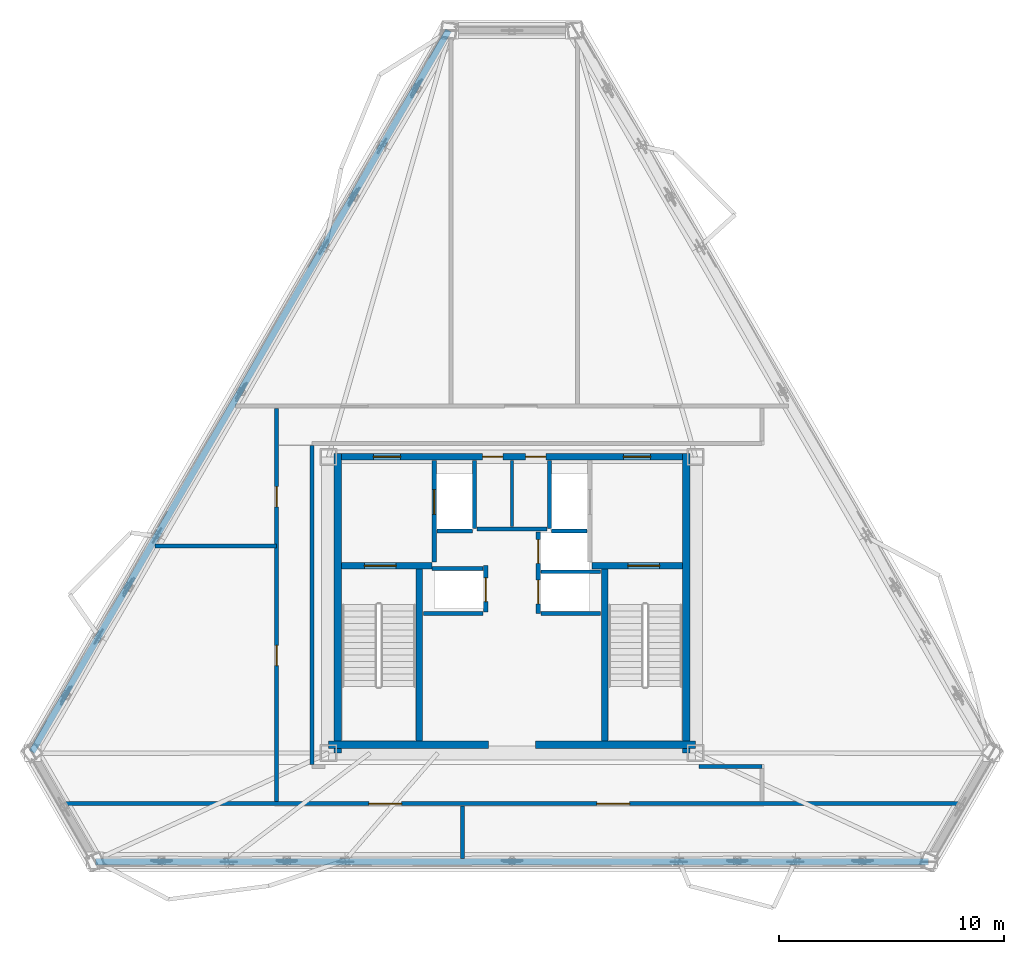
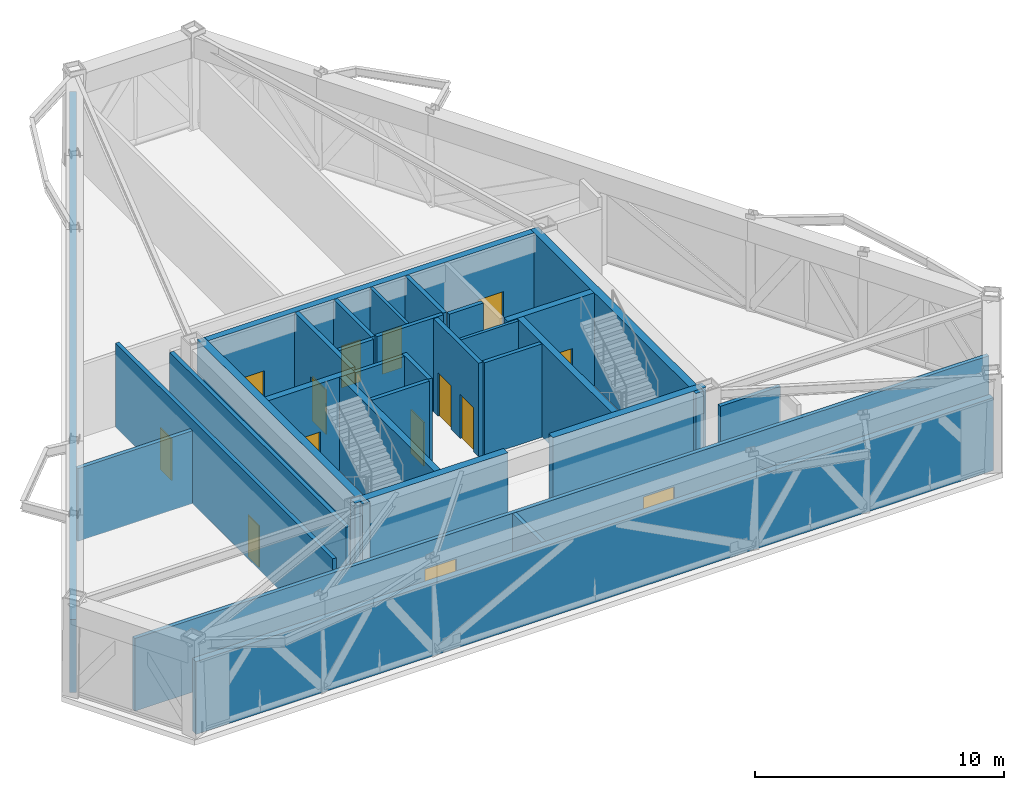
# One storey, part 6 of 10: 30 walls, 14 doors, 14 openings.
"""IFC4 building model written with IfcOpenShell, lengths in metres."""

from ifc_helpers import new_model, si_unit, direction, frame, frame_2d, origin, place, context, subcontext, project, spatial, rectangle, extrude, material, layer, layer_set, type_object, element, fill, save


model = new_model("IFC4")

# Units and contexts
model_context = context("Model", 3, precision=1e-05, world=origin(), true_north=direction((0.0, 1.0)))
body_context = subcontext(model_context, "Body", "Model", "MODEL_VIEW")
ifc_project = project(units=[si_unit("LENGTHUNIT", "METRE"), si_unit("AREAUNIT", "SQUARE_METRE"), si_unit("VOLUMEUNIT", "CUBIC_METRE"), si_unit("PLANEANGLEUNIT", "RADIAN"), si_unit("MASSUNIT", "GRAM", prefix="KILO")], contexts=[model_context])

# Site, building, storey
site_placement = place(None, origin())
site = spatial("IfcSite", under=ifc_project, at=site_placement, CompositionType="ELEMENT")
building_placement = place(site_placement, origin())
building = spatial("IfcBuilding", under=site, at=building_placement, Name="Oramaril Tower", CompositionType="ELEMENT")
storey_placement = place(building_placement, frame((0.0, 0.0, 245.10009765625)))
storey = spatial("IfcBuildingStorey", under=building, at=storey_placement, Name="L65", CompositionType="ELEMENT", Elevation=245.10009765625)

# Walls
ifc_material_1 = material(Name="Warm Cream Limestone", Category="masonry")
ifc_layer_1 = layer(ifc_material_1, 0.2900390625)
ifc_layer_set_1 = layer_set([ifc_layer_1], Name="WT-EXT29")
wall_type_1 = type_object("IfcWallType", Name="WT-EXT29", PredefinedType="SOLIDWALL", material=ifc_layer_set_1)
for number, where, z_axis, x_axis, name in (
    (1, (18.998779296875, 6.168212890625, 0.0), (0.0, 0.0, 1.0), (1.0, 0.0, 0.0), "L65 Tower Limestone Facade Wall 2M"),
    (2, (34.685302734375, 43.08837890625, 0.0), (0.0, 0.0, 1.0), (-0.500001549208, -0.866024509347, 0.0), "L65 Tower Limestone Facade Wall 6M"),
):
    element("IfcWall", number, at=place(storey_placement, frame(where, z_axis=z_axis, x_axis=x_axis)), inside=storey, type_object=wall_type_1, Name=name, PredefinedType="SOLIDWALL", context=body_context, shape_type="SweptSolid", body=[
        extrude(rectangle(XDim=37.00244140625, YDim=0.2900390625, at=frame_2d((18.501220703125, 0.0))), origin(), (0.0, 0.0, 1.0), 3.56982421875),
    ])
ifc_material_2 = material(Name="Acoustic Gypsum Board Partition")
ifc_layer_2 = layer(ifc_material_2, 0.139892578125)
ifc_layer_set_2 = layer_set([ifc_layer_2], Name="WT-PT14")
wall_type_2 = type_object("IfcWallType", Name="WT-PT14", PredefinedType="PARTITIONING", material=ifc_layer_set_2)
wall_1_placement = place(storey_placement, frame((38.780029296875, 19.050048828125, 0.0), z_axis=(0.0, 0.0, 1.0), x_axis=(1.0, 0.0, 0.0)))
element("IfcWall", 3, at=wall_1_placement, inside=storey, type_object=wall_type_2, Name="L65 High-Rise Lift H2-H3 Divider", PredefinedType="PARTITIONING", context=body_context, shape_type="SweptSolid", body=[
    extrude(rectangle(XDim=2.659912109375, YDim=0.139892578125, at=frame_2d((1.330078125, 0.0))), origin(), (0.0, 0.0, 1.0), 4.579833984375),
])
wall_2_placement = place(storey_placement, frame((37.5, 21.06005859375, 0.0), z_axis=(0.0, 0.0, 1.0), x_axis=(0.0, 1.0, 0.0)))
element("IfcWall", 4, at=wall_2_placement, inside=storey, type_object=wall_type_2, Name="L65 Core Service Divider", PredefinedType="PARTITIONING", context=body_context, shape_type="SweptSolid", body=[
    extrude(rectangle(XDim=2.919921875, YDim=0.139892578125, at=frame_2d((1.4599609375, 0.0))), origin(), (0.0, 0.0, 1.0), 4.579833984375),
])
ifc_material_3 = material(Name="Autoclaved Cellular Concrete Block", Category="concrete")
ifc_layer_3 = layer(ifc_material_3, 0.179931640625)
ifc_layer_set_3 = layer_set([ifc_layer_3], Name="WT-PT18")
wall_type_3 = type_object("IfcWallType", Name="WT-PT18", PredefinedType="PARTITIONING", material=ifc_layer_set_3)
wall_3_placement = place(storey_placement, frame((35.840087890625, 20.9599609375, 0.0), z_axis=(0.0, 0.0, 1.0), x_axis=(0.0, 1.0, 0.0)))
element("IfcWall", 5, at=wall_3_placement, inside=storey, type_object=wall_type_3, Name="L65 FL-1 East Shaft Wall", PredefinedType="PARTITIONING", context=body_context, shape_type="SweptSolid", body=[
    extrude(rectangle(XDim=3.02001953125, YDim=0.179931640625, at=frame_2d((1.510009765625, 0.0))), origin(), (0.0, 0.0, 1.0), 4.579833984375),
])
wall_4_placement = place(storey_placement, frame((34.159912109375, 20.860107421875, 0.0), z_axis=(0.0, 0.0, 1.0), x_axis=(1.0, 0.0, 0.0)))
element("IfcWall", 6, at=wall_4_placement, inside=storey, type_object=wall_type_3, Name="L65 FL-1 South Shaft Wall", PredefinedType="PARTITIONING", context=body_context, shape_type="SweptSolid", body=[
    extrude(rectangle(XDim=1.580078125, YDim=0.179931640625, at=frame_2d((0.7900390625, 0.0))), origin(), (0.0, 0.0, 1.0), 4.579833984375),
])
wall_5_placement = place(storey_placement, frame((39.159912109375, 20.9599609375, 0.0), z_axis=(0.0, 0.0, 1.0), x_axis=(0.0, 1.0, 0.0)))
element("IfcWall", 7, at=wall_5_placement, inside=storey, type_object=wall_type_3, Name="L65 FL-2 West Shaft Wall", PredefinedType="PARTITIONING", context=body_context, shape_type="SweptSolid", body=[
    extrude(rectangle(XDim=3.02001953125, YDim=0.179931640625, at=frame_2d((1.510009765625, 0.0))), origin(), (0.0, 0.0, 1.0), 4.579833984375),
])
wall_6_placement = place(storey_placement, frame((39.260009765625, 20.860107421875, 0.0), z_axis=(0.0, 0.0, 1.0), x_axis=(1.0, 0.0, 0.0)))
element("IfcWall", 8, at=wall_6_placement, inside=storey, type_object=wall_type_3, Name="L65 FL-2 South Shaft Wall", PredefinedType="PARTITIONING", context=body_context, shape_type="SweptSolid", body=[
    extrude(rectangle(XDim=1.580078125, YDim=0.179931640625, at=frame_2d((0.7900390625, 0.0))), origin(), (0.0, 0.0, 1.0), 4.579833984375),
])
wall_7_placement = place(storey_placement, frame((33.949951171875, 19.199951171875, 0.0), z_axis=(0.0, 0.0, 1.0), x_axis=(1.0, 0.0, 0.0)))
element("IfcWall", 9, at=wall_7_placement, inside=storey, type_object=wall_type_3, Name="L65 High-Rise Lift H1 North Shaft Wall", PredefinedType="PARTITIONING", context=body_context, shape_type="SweptSolid", body=[
    extrude(rectangle(XDim=2.27001953125, YDim=0.179931640625, at=frame_2d((1.135009765625, 0.0))), origin(), (0.0, 0.0, 1.0), 4.579833984375),
])
for number, where, z_axis, x_axis, name in (
    (10, (33.56005859375, 17.199951171875, 0.0), (0.0, 0.0, 1.0), (1.0, 0.0, 0.0), "L65 High-Rise Lift H1 South Wall"),
    (11, (38.780029296875, 17.199951171875, 0.0), (0.0, 0.0, 1.0), (1.0, 0.0, 0.0), "L65 High-Rise Lift H2 South Wall"),
):
    element("IfcWall", number, at=place(storey_placement, frame(where, z_axis=z_axis, x_axis=x_axis)), inside=storey, type_object=wall_type_3, Name=name, PredefinedType="PARTITIONING", context=body_context, shape_type="SweptSolid", body=[
        extrude(rectangle(XDim=2.659912109375, YDim=0.179931640625, at=frame_2d((1.330078125, 0.0))), origin(), (0.0, 0.0, 1.0), 4.579833984375),
    ])
wall_8_placement = place(storey_placement, frame((35.949951171875, 20.949951171875, 0.0), z_axis=(0.0, 0.0, 1.0), x_axis=(1.0, 0.0, 0.0)))
element("IfcWall", 12, at=wall_8_placement, inside=storey, type_object=wall_type_3, Name="L65 Lift Lobby North Partition", PredefinedType="PARTITIONING", context=body_context, shape_type="SweptSolid", body=[
    extrude(rectangle(XDim=3.10009765625, YDim=0.179931640625, at=frame_2d((1.550048828125, 0.0))), origin(), (0.0, 0.0, 1.0), 4.579833984375),
])

# Wall, openings, doors
wall_9_placement = place(storey_placement, frame((17.680419921875, 8.75, 0.0), z_axis=(0.0, 0.0, 1.0), x_axis=(1.0, 0.0, 0.0)))
wall_9 = element("IfcWall", 13, at=wall_9_placement, inside=storey, type_object=wall_type_3, Name="L65 Interior Partition PT-18", PredefinedType="PARTITIONING", context=body_context, shape_type="SweptSolid", body=[
    extrude(rectangle(XDim=39.63916015625, YDim=0.179931640625, at=frame_2d((19.819580078125, 0.0))), origin(), (0.0, 0.0, 1.0), 3.56982421875),
])
opening_1_placement = place(wall_9_placement, frame((13.468017578125, 0.0, 0.0)))
opening_1 = element("IfcOpeningElement", 14, at=opening_1_placement, cuts=wall_9, Name="Opening D-L65-01", PredefinedType="OPENING", context=body_context, shape_type="SweptSolid", body=[
    extrude(rectangle(XDim=1.449951171875, YDim=2.25, at=frame_2d((0.72509765625, 1.125))), frame((0.0, 0.08984375, 0.0), z_axis=(0.0, -1.0, 0.0), x_axis=(1.0, 0.0, 0.0)), (0.0, 0.0, 1.0), 0.179931640625),
])
opening_2_placement = place(wall_9_placement, frame((23.593017578125, 0.0, 0.0)))
opening_2 = element("IfcOpeningElement", 15, at=opening_2_placement, cuts=wall_9, Name="Opening D-L65-02", PredefinedType="OPENING", context=body_context, shape_type="SweptSolid", body=[
    extrude(rectangle(XDim=1.449951171875, YDim=2.25, at=frame_2d((0.72509765625, 1.125))), frame((0.0, 0.08984375, 0.0), z_axis=(0.0, -1.0, 0.0), x_axis=(1.0, 0.0, 0.0)), (0.0, 0.0, 1.0), 0.179931640625),
])
ifc_material_4 = material(Name="Painted Galvanised Steel", Category="steel")
door_type_1 = type_object("IfcDoorType", Name="DT-PLT", OperationType="NOTDEFINED", PredefinedType="DOOR", material=ifc_material_4)
door_1_placement = place(opening_1_placement, origin())
door_1 = element("IfcDoor", 16, at=door_1_placement, inside=storey, type_object=door_type_1, Name="L65 L65 Chiller Plant Room Door D-L65-01", OperationType="SINGLE_SWING_LEFT", OverallHeight=2.25, OverallWidth=1.449951171875, PredefinedType="DOOR", context=body_context, shape_type="SweptSolid", body=[
    extrude(rectangle(XDim=1.449951171875, YDim=2.25, at=frame_2d((0.72509765625, 1.125))), frame((0.0, 0.02490234375, 0.0), z_axis=(0.0, -1.0, 0.0), x_axis=(1.0, 0.0, 0.0)), (0.0, 0.0, 1.0), 0.050048828125),
])
fill(opening_1, door_1)
door_2_placement = place(opening_2_placement, origin())
door_2 = element("IfcDoor", 17, at=door_2_placement, inside=storey, type_object=door_type_1, Name="L65 L65 Air Handling Plant Room Door D-L65-02", OperationType="SINGLE_SWING_RIGHT", OverallHeight=2.25, OverallWidth=1.449951171875, PredefinedType="DOOR", context=body_context, shape_type="SweptSolid", body=[
    extrude(rectangle(XDim=1.449951171875, YDim=2.25, at=frame_2d((0.72509765625, 1.125))), frame((0.0, 0.02490234375, 0.0), z_axis=(0.0, -1.0, 0.0), x_axis=(1.0, 0.0, 0.0)), (0.0, 0.0, 1.0), 0.050048828125),
])
fill(opening_2, door_2)

# Walls
wall_10_placement = place(storey_placement, frame((45.800048828125, 10.39990234375, 0.0), z_axis=(0.0, 0.0, 1.0), x_axis=(1.0, 0.0, 0.0)))
element("IfcWall", 18, at=wall_10_placement, inside=storey, type_object=wall_type_3, Name="L65 Interior Partition PT-18", PredefinedType="PARTITIONING", context=body_context, shape_type="SweptSolid", body=[
    extrude(rectangle(XDim=2.800048828125, YDim=0.179931640625, at=frame_2d((1.39990234375, 0.0))), origin(), (0.0, 0.0, 1.0), 4.11279296875),
])
wall_11_placement = place(storey_placement, frame((21.642822265625, 20.199951171875, 0.0), z_axis=(0.0, 0.0, 1.0), x_axis=(1.0, 0.0, 0.0)))
element("IfcWall", 19, at=wall_11_placement, inside=storey, type_object=wall_type_3, Name="L65 Interior Partition PT-18", PredefinedType="PARTITIONING", context=body_context, shape_type="SweptSolid", body=[
    extrude(rectangle(XDim=5.4072265625, YDim=0.179931640625, at=frame_2d((2.70361328125, 0.0))), origin(), (0.0, 0.0, 1.0), 3.56982421875),
])

# Wall, openings, doors
wall_12_placement = place(storey_placement, frame((27.050048828125, 8.843994140625, 0.0), z_axis=(0.0, 0.0, 1.0), x_axis=(0.0, 1.0, 0.0)))
wall_12 = element("IfcWall", 20, at=wall_12_placement, inside=storey, type_object=wall_type_3, Name="L65 Interior Partition PT-18", PredefinedType="PARTITIONING", context=body_context, shape_type="SweptSolid", body=[
    extrude(rectangle(XDim=17.4619140625, YDim=0.179931640625, at=frame_2d((8.73095703125, 0.0))), origin(), (0.0, 0.0, 1.0), 4.11279296875),
])
opening_3_placement = place(wall_12_placement, frame((6.031982421875, 0.0, 0.0)))
opening_3 = element("IfcOpeningElement", 21, at=opening_3_placement, cuts=wall_12, Name="Opening D-L65-06", PredefinedType="OPENING", context=body_context, shape_type="SweptSolid", body=[
    extrude(rectangle(XDim=0.89990234375, YDim=2.050048828125, at=frame_2d((0.449951171875, 1.02490234375))), frame((0.0, 0.08984375, 0.0), z_axis=(0.0, -1.0, 0.0), x_axis=(1.0, 0.0, 0.0)), (0.0, 0.0, 1.0), 0.179931640625),
])
opening_4_placement = place(wall_12_placement, frame((13.082763671875, 0.0, 0.0)))
opening_4 = element("IfcOpeningElement", 22, at=opening_4_placement, cuts=wall_12, Name="Opening D-L65-07", PredefinedType="OPENING", context=body_context, shape_type="SweptSolid", body=[
    extrude(rectangle(XDim=0.89990234375, YDim=2.050048828125, at=frame_2d((0.449951171875, 1.02490234375))), frame((0.0, 0.08984375, 0.0), z_axis=(0.0, -1.0, 0.0), x_axis=(1.0, 0.0, 0.0)), (0.0, 0.0, 1.0), 0.179931640625),
])
ifc_material_5 = material(Name="Painted Galvanised Steel", Category="steel")
door_type_2 = type_object("IfcDoorType", Name="DT-SVC", OperationType="NOTDEFINED", PredefinedType="DOOR", material=ifc_material_5)
door_3_placement = place(opening_3_placement, origin())
door_3 = element("IfcDoor", 23, at=door_3_placement, inside=storey, type_object=door_type_2, Name="L65 L65 Water Booster Plant Room Door D-L65-06", OperationType="SINGLE_SWING_RIGHT", OverallHeight=2.050048828125, OverallWidth=0.89990234375, PredefinedType="DOOR", context=body_context, shape_type="SweptSolid", body=[
    extrude(rectangle(XDim=0.89990234375, YDim=2.050048828125, at=frame_2d((0.449951171875, 1.02490234375))), frame((0.0, 0.02490234375, 0.0), z_axis=(0.0, -1.0, 0.0), x_axis=(1.0, 0.0, 0.0)), (0.0, 0.0, 1.0), 0.050048828125),
])
fill(opening_3, door_3)
door_4_placement = place(opening_4_placement, origin())
door_4 = element("IfcDoor", 24, at=door_4_placement, inside=storey, type_object=door_type_2, Name="L65 L65 BMS and Controls Plant Room Door D-L65-07", OperationType="SINGLE_SWING_LEFT", OverallHeight=2.050048828125, OverallWidth=0.89990234375, PredefinedType="DOOR", context=body_context, shape_type="SweptSolid", body=[
    extrude(rectangle(XDim=0.89990234375, YDim=2.050048828125, at=frame_2d((0.449951171875, 1.02490234375))), frame((0.0, 0.02490234375, 0.0), z_axis=(0.0, -1.0, 0.0), x_axis=(1.0, 0.0, 0.0)), (0.0, 0.0, 1.0), 0.050048828125),
])
fill(opening_4, door_4)

# Walls
wall_13_placement = place(storey_placement, frame((28.6201171875, 10.493896484375, 0.0), z_axis=(0.0, 0.0, 1.0), x_axis=(0.0, 1.0, 0.0)))
element("IfcWall", 25, at=wall_13_placement, inside=storey, type_object=wall_type_3, Name="L65 Interior Partition PT-18", PredefinedType="PARTITIONING", context=body_context, shape_type="SweptSolid", body=[
    extrude(rectangle(XDim=14.162109375, YDim=0.179931640625, at=frame_2d((7.0810546875, 0.0))), origin(), (0.0, 0.0, 1.0), 4.11279296875),
])
wall_14_placement = place(storey_placement, frame((35.300048828125, 6.317138671875, 0.0), z_axis=(0.0, 0.0, 1.0), x_axis=(0.0, 1.0, 0.0)))
element("IfcWall", 26, at=wall_14_placement, inside=storey, type_object=wall_type_3, Name="L65 Interior Partition PT-18", PredefinedType="PARTITIONING", context=body_context, shape_type="SweptSolid", body=[
    extrude(rectangle(XDim=2.3388671875, YDim=0.179931640625, at=frame_2d((1.16943359375, 0.0))), origin(), (0.0, 0.0, 1.0), 3.56982421875),
])

# Wall, openings, doors
ifc_material_6 = material(Name="Concrete C50/60", Category="concrete")
ifc_layer_4 = layer(ifc_material_6, 0.300048828125)
ifc_layer_set_4 = layer_set([ifc_layer_4], Name="WT-SH30")
wall_type_4 = type_object("IfcWallType", Name="WT-SH30", PredefinedType="SHEAR", material=ifc_layer_set_4)
wall_15_placement = place(storey_placement, frame((29.64990234375, 24.14990234375, 0.0), z_axis=(0.0, 0.0, 1.0), x_axis=(1.0, 0.0, 0.0)))
wall_15 = element("IfcWall", 27, at=wall_15_placement, inside=storey, type_object=wall_type_4, Name="L65 Core Shear Wall CW-N", PredefinedType="SHEAR", context=body_context, shape_type="SweptSolid", body=[
    extrude(rectangle(XDim=15.7001953125, YDim=0.300048828125, at=frame_2d((7.85009765625, 0.0))), origin(), (0.0, 0.0, 1.0), 4.579833984375),
])
opening_5_placement = place(wall_15_placement, frame((1.699951171875, 0.0, 0.0)))
opening_5 = element("IfcOpeningElement", 28, at=opening_5_placement, cuts=wall_15, Name="Opening D-L65-FFL1", PredefinedType="OPENING", context=body_context, shape_type="SweptSolid", body=[
    extrude(rectangle(XDim=1.199951171875, YDim=2.199951171875, at=frame_2d((0.60009765625, 1.10009765625))), frame((0.0, 0.14990234375, 0.0), z_axis=(0.0, -1.0, 0.0), x_axis=(1.0, 0.0, 0.0)), (0.0, 0.0, 1.0), 0.300048828125),
])
opening_6_placement = place(wall_15_placement, frame((12.800048828125, 0.0, 0.0)))
opening_6 = element("IfcOpeningElement", 29, at=opening_6_placement, cuts=wall_15, Name="Opening D-L65-FFL2", PredefinedType="OPENING", context=body_context, shape_type="SweptSolid", body=[
    extrude(rectangle(XDim=1.199951171875, YDim=2.199951171875, at=frame_2d((0.60009765625, 1.10009765625))), frame((0.0, 0.14990234375, 0.0), z_axis=(0.0, -1.0, 0.0), x_axis=(1.0, 0.0, 0.0)), (0.0, 0.0, 1.0), 0.300048828125),
])
opening_7_placement = place(wall_15_placement, frame((6.550048828125, 0.0, 0.0)))
opening_7 = element("IfcOpeningElement", 30, at=opening_7_placement, cuts=wall_15, Name="Opening D-L65-SV1", PredefinedType="OPENING", context=body_context, shape_type="SweptSolid", body=[
    extrude(rectangle(XDim=0.89990234375, YDim=2.050048828125, at=frame_2d((0.449951171875, 1.02490234375))), frame((0.0, 0.14990234375, 0.0), z_axis=(0.0, -1.0, 0.0), x_axis=(1.0, 0.0, 0.0)), (0.0, 0.0, 1.0), 0.300048828125),
])
opening_8_placement = place(wall_15_placement, frame((8.449951171875, 0.0, 0.0)))
opening_8 = element("IfcOpeningElement", 31, at=opening_8_placement, cuts=wall_15, Name="Opening D-L65-SV2", PredefinedType="OPENING", context=body_context, shape_type="SweptSolid", body=[
    extrude(rectangle(XDim=0.89990234375, YDim=2.050048828125, at=frame_2d((0.449951171875, 1.02490234375))), frame((0.0, 0.14990234375, 0.0), z_axis=(0.0, -1.0, 0.0), x_axis=(1.0, 0.0, 0.0)), (0.0, 0.0, 1.0), 0.300048828125),
])
ifc_material_7 = material(Name="Painted Galvanised Steel", Category="steel")
door_type_3 = type_object("IfcDoorType", Name="DT-FFL", OperationType="NOTDEFINED", PredefinedType="DOOR", material=ifc_material_7)
door_5_placement = place(opening_5_placement, origin())
door_5 = element("IfcDoor", 32, at=door_5_placement, inside=storey, type_object=door_type_3, Name="L65 Firefighting Lobby 1 Fire Door", OperationType="SINGLE_SWING_LEFT", OverallHeight=2.199951171875, OverallWidth=1.199951171875, PredefinedType="DOOR", context=body_context, shape_type="SweptSolid", body=[
    extrude(rectangle(XDim=1.199951171875, YDim=2.199951171875, at=frame_2d((0.60009765625, 1.10009765625))), frame((0.0, 0.02490234375, 0.0), z_axis=(0.0, -1.0, 0.0), x_axis=(1.0, 0.0, 0.0)), (0.0, 0.0, 1.0), 0.050048828125),
])
fill(opening_5, door_5)
door_6_placement = place(opening_6_placement, origin())
door_6 = element("IfcDoor", 33, at=door_6_placement, inside=storey, type_object=door_type_3, Name="L65 Firefighting Lobby 2 Fire Door", OperationType="SINGLE_SWING_RIGHT", OverallHeight=2.199951171875, OverallWidth=1.199951171875, PredefinedType="DOOR", context=body_context, shape_type="SweptSolid", body=[
    extrude(rectangle(XDim=1.199951171875, YDim=2.199951171875, at=frame_2d((0.60009765625, 1.10009765625))), frame((0.0, 0.02490234375, 0.0), z_axis=(0.0, -1.0, 0.0), x_axis=(1.0, 0.0, 0.0)), (0.0, 0.0, 1.0), 0.050048828125),
])
fill(opening_6, door_6)
door_7_placement = place(opening_7_placement, origin())
door_7 = element("IfcDoor", 34, at=door_7_placement, inside=storey, type_object=door_type_2, Name="L65 Core Service Store 1 Door", OperationType="SINGLE_SWING_LEFT", OverallHeight=2.050048828125, OverallWidth=0.89990234375, PredefinedType="DOOR", context=body_context, shape_type="SweptSolid", body=[
    extrude(rectangle(XDim=0.89990234375, YDim=2.050048828125, at=frame_2d((0.449951171875, 1.02490234375))), frame((0.0, 0.02490234375, 0.0), z_axis=(0.0, -1.0, 0.0), x_axis=(1.0, 0.0, 0.0)), (0.0, 0.0, 1.0), 0.050048828125),
])
fill(opening_7, door_7)
door_8_placement = place(opening_8_placement, origin())
door_8 = element("IfcDoor", 35, at=door_8_placement, inside=storey, type_object=door_type_2, Name="L65 Core Service Store 2 Door", OperationType="SINGLE_SWING_RIGHT", OverallHeight=2.050048828125, OverallWidth=0.89990234375, PredefinedType="DOOR", context=body_context, shape_type="SweptSolid", body=[
    extrude(rectangle(XDim=0.89990234375, YDim=2.050048828125, at=frame_2d((0.449951171875, 1.02490234375))), frame((0.0, 0.02490234375, 0.0), z_axis=(0.0, -1.0, 0.0), x_axis=(1.0, 0.0, 0.0)), (0.0, 0.0, 1.0), 0.050048828125),
])
fill(opening_8, door_8)

# Wall, opening, door
wall_16_placement = place(storey_placement, frame((29.93994140625, 19.31005859375, 0.0), z_axis=(0.0, 0.0, 1.0), x_axis=(1.0, 0.0, 0.0)))
wall_16 = element("IfcWall", 36, at=wall_16_placement, inside=storey, type_object=wall_type_4, Name="L65 Core Shear Wall CW-ST1N", PredefinedType="SHEAR", context=body_context, shape_type="SweptSolid", body=[
    extrude(rectangle(XDim=4.010009765625, YDim=0.300048828125, at=frame_2d((2.0048828125, 0.0))), origin(), (0.0, 0.0, 1.0), 4.579833984375),
])
opening_9_placement = place(wall_16_placement, frame((1.010009765625, 0.0, 0.0)))
opening_9 = element("IfcOpeningElement", 37, at=opening_9_placement, cuts=wall_16, Name="Opening D-L65-ST1", PredefinedType="OPENING", context=body_context, shape_type="SweptSolid", body=[
    extrude(rectangle(XDim=1.39990234375, YDim=2.199951171875, at=frame_2d((0.699951171875, 1.10009765625))), frame((0.0, 0.14990234375, 0.0), z_axis=(0.0, -1.0, 0.0), x_axis=(1.0, 0.0, 0.0)), (0.0, 0.0, 1.0), 0.300048828125),
])
ifc_material_8 = material(Name="Painted Galvanised Steel", Category="steel")
door_type_4 = type_object("IfcDoorType", Name="DT-ST", OperationType="NOTDEFINED", PredefinedType="DOOR", material=ifc_material_8)
door_9_placement = place(opening_9_placement, origin())
door_9 = element("IfcDoor", 38, at=door_9_placement, inside=storey, type_object=door_type_4, Name="L65 Protected Stair ST-1 Fire Door", OperationType="SINGLE_SWING_LEFT", OverallHeight=2.199951171875, OverallWidth=1.39990234375, PredefinedType="DOOR", context=body_context, shape_type="SweptSolid", body=[
    extrude(rectangle(XDim=1.39990234375, YDim=2.199951171875, at=frame_2d((0.699951171875, 1.10009765625))), frame((0.0, 0.02490234375, 0.0), z_axis=(0.0, -1.0, 0.0), x_axis=(1.0, 0.0, 0.0)), (0.0, 0.0, 1.0), 0.050048828125),
])
fill(opening_9, door_9)

wall_17_placement = place(storey_placement, frame((41.050048828125, 19.31005859375, 0.0), z_axis=(0.0, 0.0, 1.0), x_axis=(1.0, 0.0, 0.0)))
wall_17 = element("IfcWall", 39, at=wall_17_placement, inside=storey, type_object=wall_type_4, Name="L65 Core Shear Wall CW-ST2N", PredefinedType="SHEAR", context=body_context, shape_type="SweptSolid", body=[
    extrude(rectangle(XDim=4.010009765625, YDim=0.300048828125, at=frame_2d((2.0048828125, 0.0))), origin(), (0.0, 0.0, 1.0), 4.579833984375),
])
opening_10_placement = place(wall_17_placement, frame((1.60009765625, 0.0, 0.0)))
opening_10 = element("IfcOpeningElement", 40, at=opening_10_placement, cuts=wall_17, Name="Opening D-L65-ST2", PredefinedType="OPENING", context=body_context, shape_type="SweptSolid", body=[
    extrude(rectangle(XDim=1.39990234375, YDim=2.199951171875, at=frame_2d((0.699951171875, 1.10009765625))), frame((0.0, 0.14990234375, 0.0), z_axis=(0.0, -1.0, 0.0), x_axis=(1.0, 0.0, 0.0)), (0.0, 0.0, 1.0), 0.300048828125),
])
door_10_placement = place(opening_10_placement, origin())
door_10 = element("IfcDoor", 41, at=door_10_placement, inside=storey, type_object=door_type_4, Name="L65 Protected Stair ST-2 Fire Door", OperationType="SINGLE_SWING_RIGHT", OverallHeight=2.199951171875, OverallWidth=1.39990234375, PredefinedType="DOOR", context=body_context, shape_type="SweptSolid", body=[
    extrude(rectangle(XDim=1.39990234375, YDim=2.199951171875, at=frame_2d((0.699951171875, 1.10009765625))), frame((0.0, 0.02490234375, 0.0), z_axis=(0.0, -1.0, 0.0), x_axis=(1.0, 0.0, 0.0)), (0.0, 0.0, 1.0), 0.050048828125),
])
fill(opening_10, door_10)

# Walls
for number, where, z_axis, x_axis, name in (
    (42, (33.3798828125, 11.5400390625, 0.0), (0.0, 0.0, 1.0), (0.0, 1.0, 0.0), "L65 Core Shear Wall CW-ST1E"),
    (43, (41.6201171875, 11.5400390625, 0.0), (0.0, 0.0, 1.0), (0.0, 1.0, 0.0), "L65 Core Shear Wall CW-ST2W"),
):
    element("IfcWall", number, at=place(storey_placement, frame(where, z_axis=z_axis, x_axis=x_axis)), inside=storey, type_object=wall_type_4, Name=name, PredefinedType="SHEAR", context=body_context, shape_type="SweptSolid", body=[
        extrude(rectangle(XDim=7.619873046875, YDim=0.300048828125, at=frame_2d((3.81005859375, 0.0))), origin(), (0.0, 0.0, 1.0), 4.579833984375),
    ])
ifc_material_9 = material(Name="Concrete C50/60", Category="concrete")
ifc_layer_5 = layer(ifc_material_9, 0.35009765625)
ifc_layer_set_5 = layer_set([ifc_layer_5], Name="WT-SH35")
wall_type_5 = type_object("IfcWallType", Name="WT-SH35", PredefinedType="SHEAR", material=ifc_layer_set_5)
for number, where, z_axis, x_axis, name in (
    (44, (29.764892578125, 11.0, 0.0), (0.0, 0.0, 1.0), (0.0, 1.0, 0.0), "L65 Core Shear Wall CW-W"),
    (45, (45.235107421875, 11.0, 0.0), (0.0, 0.0, 1.0), (0.0, 1.0, 0.0), "L65 Core Shear Wall CW-E"),
):
    element("IfcWall", number, at=place(storey_placement, frame(where, z_axis=z_axis, x_axis=x_axis)), inside=storey, type_object=wall_type_5, Name=name, PredefinedType="SHEAR", context=body_context, shape_type="SweptSolid", body=[
        extrude(rectangle(XDim=13.300048828125, YDim=0.35009765625, at=frame_2d((6.64990234375, 0.0))), origin(), (0.0, 0.0, 1.0), 4.579833984375),
    ])
for number, where, z_axis, x_axis, name in (
    (46, (29.35009765625, 11.364990234375, 0.0), (0.0, 0.0, 1.0), (1.0, 0.0, 0.0), "L65 Core Shear Wall CW-SW"),
    (47, (38.550048828125, 11.364990234375, 0.0), (0.0, 0.0, 1.0), (1.0, 0.0, 0.0), "L65 Core Shear Wall CW-SE"),
):
    element("IfcWall", number, at=place(storey_placement, frame(where, z_axis=z_axis, x_axis=x_axis)), inside=storey, type_object=wall_type_5, Name=name, PredefinedType="SHEAR", context=body_context, shape_type="SweptSolid", body=[
        extrude(rectangle(XDim=7.099853515625, YDim=0.35009765625, at=frame_2d((3.5498046875, 0.0))), origin(), (0.0, 0.0, 1.0), 4.579833984375),
    ])

# Wall, opening, door
ifc_material_10 = material(Name="Autoclaved Cellular Concrete Block", Category="concrete")
ifc_layer_6 = layer(ifc_material_10, 0.199951171875)
ifc_layer_set_6 = layer_set([ifc_layer_6], Name="WT-SHF20")
wall_type_6 = type_object("IfcWallType", Name="WT-SHF20", PredefinedType="PARTITIONING", material=ifc_layer_set_6)
wall_18_placement = place(storey_placement, frame((34.0400390625, 19.47998046875, 0.0), z_axis=(0.0, 0.0, 1.0), x_axis=(0.0, 1.0, 0.0)))
wall_18 = element("IfcWall", 48, at=wall_18_placement, inside=storey, type_object=wall_type_6, Name="L65 FL-1 Lobby Shaft Wall", PredefinedType="PARTITIONING", context=body_context, shape_type="SweptSolid", body=[
    extrude(rectangle(XDim=4.5, YDim=0.199951171875, at=frame_2d((2.25, 0.0))), origin(), (0.0, 0.0, 1.0), 4.579833984375),
])
opening_11_placement = place(wall_18_placement, frame((2.1201171875, 0.0, 0.0)))
opening_11 = element("IfcOpeningElement", 49, at=opening_11_placement, cuts=wall_18, Name="Opening LD-L65-FL-1", PredefinedType="OPENING", context=body_context, shape_type="SweptSolid", body=[
    extrude(rectangle(XDim=1.10009765625, YDim=2.199951171875, at=frame_2d((0.550048828125, 1.10009765625))), frame((0.0, 0.10009765625, 0.0), z_axis=(0.0, -1.0, 0.0), x_axis=(1.0, 0.0, 0.0)), (0.0, 0.0, 1.0), 0.199951171875),
])
ifc_material_11 = material(Name="Stainless Steel 316L", Category="steel")
door_type_5 = type_object("IfcDoorType", Name="DT-LD1", OperationType="NOTDEFINED", PredefinedType="DOOR", material=ifc_material_11)
door_11_placement = place(opening_11_placement, origin())
door_11 = element("IfcDoor", 50, at=door_11_placement, inside=storey, type_object=door_type_5, Name="L65 Lift FL-1 Sliding Landing Door", OperationType="SLIDING_TO_LEFT", OverallHeight=2.199951171875, OverallWidth=1.10009765625, PredefinedType="DOOR", context=body_context, shape_type="SweptSolid", body=[
    extrude(rectangle(XDim=1.10009765625, YDim=2.199951171875, at=frame_2d((0.550048828125, 1.10009765625))), frame((0.0, 0.02490234375, 0.0), z_axis=(0.0, -1.0, 0.0), x_axis=(1.0, 0.0, 0.0)), (0.0, 0.0, 1.0), 0.050048828125),
])
fill(opening_11, door_11)

wall_19_placement = place(storey_placement, frame((36.340087890625, 17.25, 0.0), z_axis=(0.0, 0.0, 1.0), x_axis=(0.0, 1.0, 0.0)))
wall_19 = element("IfcWall", 51, at=wall_19_placement, inside=storey, type_object=wall_type_6, Name="L65 High-Rise Lift H1 Front Wall", PredefinedType="PARTITIONING", context=body_context, shape_type="SweptSolid", body=[
    extrude(rectangle(XDim=2.070068359375, YDim=0.199951171875, at=frame_2d((1.03515625, 0.0))), origin(), (0.0, 0.0, 1.0), 4.579833984375),
])
opening_12_placement = place(wall_19_placement, frame((0.47509765625, 0.0, 0.0)))
opening_12 = element("IfcOpeningElement", 52, at=opening_12_placement, cuts=wall_19, Name="Opening LD-L65-LP-H1", PredefinedType="OPENING", context=body_context, shape_type="SweptSolid", body=[
    extrude(rectangle(XDim=1.050048828125, YDim=2.14990234375, at=frame_2d((0.52490234375, 1.074951171875))), frame((0.0, 0.10009765625, 0.0), z_axis=(0.0, -1.0, 0.0), x_axis=(1.0, 0.0, 0.0)), (0.0, 0.0, 1.0), 0.199951171875),
])
ifc_material_12 = material(Name="Stainless Steel 316L", Category="steel")
door_type_6 = type_object("IfcDoorType", Name="DT-LD2", OperationType="NOTDEFINED", PredefinedType="DOOR", material=ifc_material_12)
door_12_placement = place(opening_12_placement, origin())
door_12 = element("IfcDoor", 53, at=door_12_placement, inside=storey, type_object=door_type_6, Name="L65 Lift LP-H1 Sliding Landing Door", OperationType="SLIDING_TO_LEFT", OverallHeight=2.14990234375, OverallWidth=1.050048828125, PredefinedType="DOOR", context=body_context, shape_type="SweptSolid", body=[
    extrude(rectangle(XDim=1.050048828125, YDim=2.14990234375, at=frame_2d((0.52490234375, 1.074951171875))), frame((0.0, 0.02490234375, 0.0), z_axis=(0.0, -1.0, 0.0), x_axis=(1.0, 0.0, 0.0)), (0.0, 0.0, 1.0), 0.050048828125),
])
fill(opening_12, door_12)

# Wall, openings, doors
wall_20_placement = place(storey_placement, frame((38.659912109375, 17.199951171875, 0.0), z_axis=(0.0, 0.0, 1.0), x_axis=(0.0, 1.0, 0.0)))
wall_20 = element("IfcWall", 54, at=wall_20_placement, inside=storey, type_object=wall_type_6, Name="L65 High-Rise Lift H2-H3 Front Wall", PredefinedType="PARTITIONING", context=body_context, shape_type="SweptSolid", body=[
    extrude(rectangle(XDim=3.6201171875, YDim=0.199951171875, at=frame_2d((1.81005859375, 0.0))), origin(), (0.0, 0.0, 1.0), 4.579833984375),
])
opening_13_placement = place(wall_20_placement, frame((0.425048828125, 0.0, 0.0)))
opening_13 = element("IfcOpeningElement", 55, at=opening_13_placement, cuts=wall_20, Name="Opening LD-L65-LP-H2", PredefinedType="OPENING", context=body_context, shape_type="SweptSolid", body=[
    extrude(rectangle(XDim=1.050048828125, YDim=2.14990234375, at=frame_2d((0.52490234375, 1.074951171875))), frame((0.0, 0.10009765625, 0.0), z_axis=(0.0, -1.0, 0.0), x_axis=(1.0, 0.0, 0.0)), (0.0, 0.0, 1.0), 0.199951171875),
])
opening_14_placement = place(wall_20_placement, frame((2.22509765625, 0.0, 0.0)))
opening_14 = element("IfcOpeningElement", 56, at=opening_14_placement, cuts=wall_20, Name="Opening LD-L65-LP-H3", PredefinedType="OPENING", context=body_context, shape_type="SweptSolid", body=[
    extrude(rectangle(XDim=1.050048828125, YDim=2.14990234375, at=frame_2d((0.52490234375, 1.074951171875))), frame((0.0, 0.10009765625, 0.0), z_axis=(0.0, -1.0, 0.0), x_axis=(1.0, 0.0, 0.0)), (0.0, 0.0, 1.0), 0.199951171875),
])
door_13_placement = place(opening_13_placement, origin())
door_13 = element("IfcDoor", 57, at=door_13_placement, inside=storey, type_object=door_type_6, Name="L65 Lift LP-H2 Sliding Landing Door", OperationType="SLIDING_TO_RIGHT", OverallHeight=2.14990234375, OverallWidth=1.050048828125, PredefinedType="DOOR", context=body_context, shape_type="SweptSolid", body=[
    extrude(rectangle(XDim=1.050048828125, YDim=2.14990234375, at=frame_2d((0.52490234375, 1.074951171875))), frame((0.0, 0.02490234375, 0.0), z_axis=(0.0, -1.0, 0.0), x_axis=(1.0, 0.0, 0.0)), (0.0, 0.0, 1.0), 0.050048828125),
])
fill(opening_13, door_13)
door_14_placement = place(opening_14_placement, origin())
door_14 = element("IfcDoor", 58, at=door_14_placement, inside=storey, type_object=door_type_6, Name="L65 Lift LP-H3 Sliding Landing Door", OperationType="SLIDING_TO_LEFT", OverallHeight=2.14990234375, OverallWidth=1.050048828125, PredefinedType="DOOR", context=body_context, shape_type="SweptSolid", body=[
    extrude(rectangle(XDim=1.050048828125, YDim=2.14990234375, at=frame_2d((0.52490234375, 1.074951171875))), frame((0.0, 0.02490234375, 0.0), z_axis=(0.0, -1.0, 0.0), x_axis=(1.0, 0.0, 0.0)), (0.0, 0.0, 1.0), 0.050048828125),
])
fill(opening_14, door_14)

save(model, "model.ifc")
